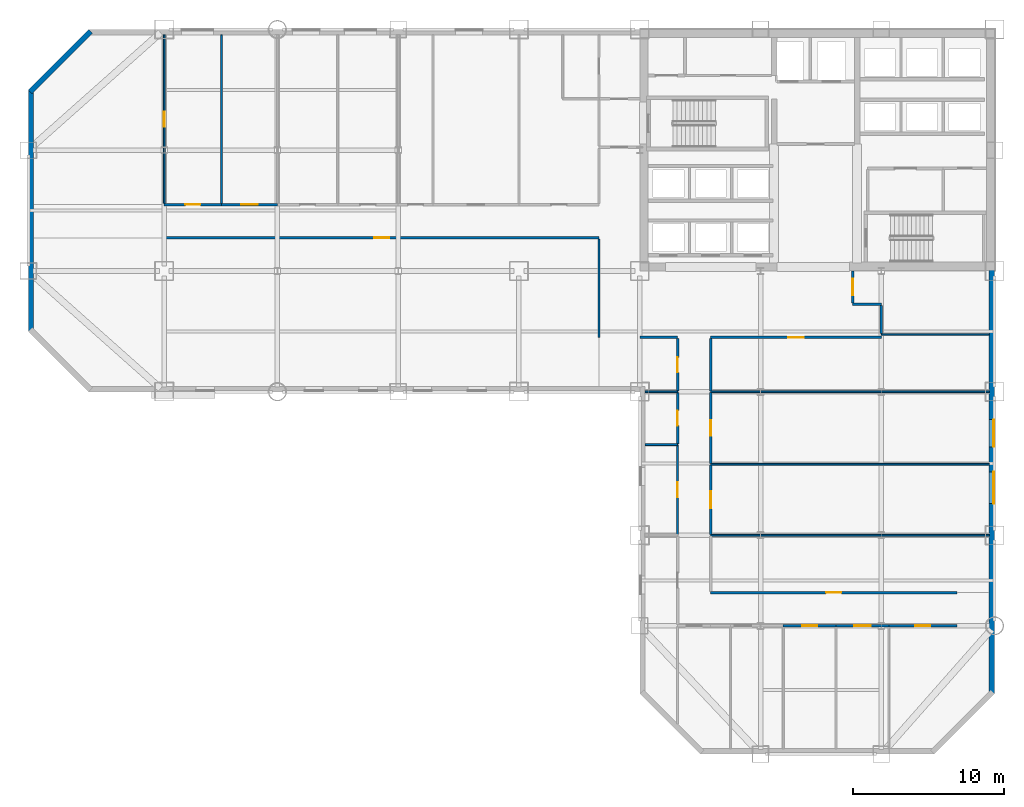
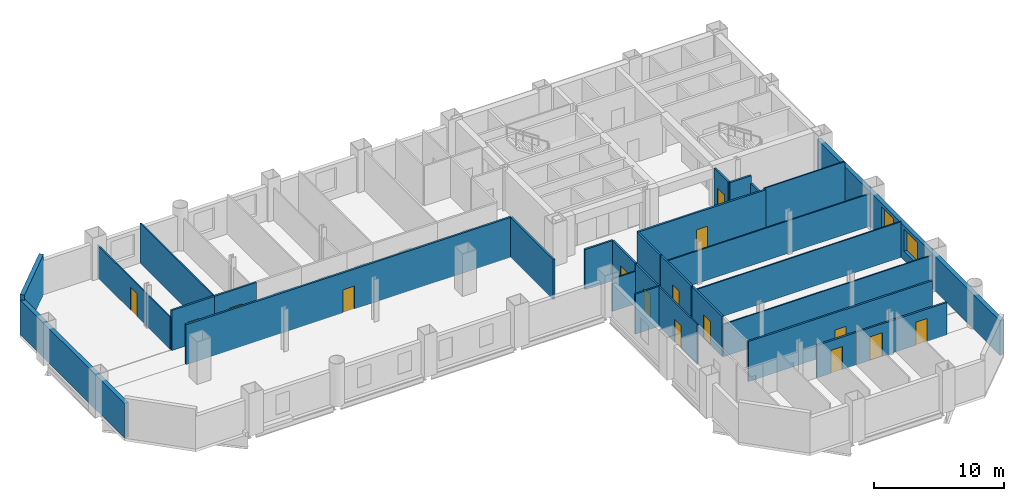
# One storey, part 5 of 9: 30 walls, 15 doors, 2 windows, 17 openings.
"""IFC4 building model written with IfcOpenShell, lengths in metres."""

from ifc_helpers import new_model, si_unit, direction, frame, frame_2d, origin, place, context, subcontext, project, spatial, rectangle, extrude, material, layer, layer_set, type_object, element, fill, save


model = new_model("IFC4")

# Units and contexts
model_context = context("Model", 3, precision=1e-05, world=origin(), true_north=direction((0.0, 1.0)))
body_context = subcontext(model_context, "Body", "Model", "MODEL_VIEW")
ifc_project = project(units=[si_unit("LENGTHUNIT", "METRE"), si_unit("AREAUNIT", "SQUARE_METRE"), si_unit("VOLUMEUNIT", "CUBIC_METRE"), si_unit("PLANEANGLEUNIT", "RADIAN"), si_unit("MASSUNIT", "GRAM", prefix="KILO")], contexts=[model_context])

# Site, building, storey
site_placement = place(None, origin())
site = spatial("IfcSite", under=ifc_project, at=site_placement, CompositionType="ELEMENT")
building_placement = place(site_placement, origin())
building = spatial("IfcBuilding", under=site, at=building_placement, Name="Qianrong Seaharbour Tower", CompositionType="ELEMENT")
storey_placement = place(building_placement, frame((0.0, 0.0, 32.199951171875)))
storey = spatial("IfcBuildingStorey", under=building, at=storey_placement, Name="L07", CompositionType="ELEMENT", Elevation=32.199951171875)

# Wall, opening, door
ifc_material_1 = material(Name="Fire-rated acoustic gypsum board partition")
ifc_layer_1 = layer(ifc_material_1, 0.1650390625)
ifc_layer_set_1 = layer_set([ifc_layer_1], Name="Fire-rated acoustic gypsum board partition")
wall_type_1 = type_object("IfcWallType", Name="WALL-CORR-PART-165", PredefinedType="PARTITIONING", material=ifc_layer_set_1)
wall_1_placement = place(storey_placement, frame((37.800048828125, 38.199951171875, 0.0), z_axis=(0.0, 0.0, 1.0), x_axis=(-1.0, 0.0, 0.0)))
wall_1 = element("IfcWall", 1, at=wall_1_placement, inside=storey, type_object=wall_type_1, Name="L07 Interior Partition Wall 015", PredefinedType="PARTITIONING", context=body_context, shape_type="SweptSolid", body=[
    extrude(rectangle(XDim=28.800048828125, YDim=0.1650390625, at=frame_2d((14.39990234375, 0.0))), origin(), (0.0, 0.0, 1.0), 3.75),
])
opening_1_placement = place(wall_1_placement, frame((13.89990234375, 0.0, 0.0)))
opening_1 = element("IfcOpeningElement", 2, at=opening_1_placement, cuts=wall_1, Name="Opening DO-01", PredefinedType="OPENING", context=body_context, shape_type="SweptSolid", body=[
    extrude(rectangle(XDim=1.0, YDim=2.14990234375, at=frame_2d((0.5, 1.074951171875))), frame((0.0, 0.092529296875, 0.0), z_axis=(0.0, -1.0, 0.0), x_axis=(1.0, 0.0, 0.0)), (0.0, 0.0, 1.0), 0.18505859375),
])
ifc_material_2 = material(Name="Acoustic timber and galvanized steel fire door assembly", Category="steel")
door_type_1 = type_object("IfcDoorType", Name="DOOR-OFFICE-1000x2150", OperationType="NOTDEFINED", PredefinedType="DOOR", material=ifc_material_2)
door_1_placement = place(opening_1_placement, origin())
door_1 = element("IfcDoor", 3, at=door_1_placement, inside=storey, type_object=door_type_1, Name="L07 Open-Plan Office Door", OperationType="SINGLE_SWING_LEFT", OverallHeight=2.14990234375, OverallWidth=1.0, PredefinedType="DOOR", context=body_context, shape_type="SweptSolid", body=[
    extrude(rectangle(XDim=1.0, YDim=2.14990234375, at=frame_2d((0.5, 1.074951171875))), frame((0.0, 0.02490234375, 0.0), z_axis=(0.0, -1.0, 0.0), x_axis=(1.0, 0.0, 0.0)), (0.0, 0.0, 1.0), 0.050048828125),
])
fill(opening_1, door_1)

wall_2_placement = place(storey_placement, frame((9.0, 40.39990234375, 0.0), z_axis=(0.0, 0.0, 1.0), x_axis=(1.0, 0.0, 0.0)))
wall_2 = element("IfcWall", 4, at=wall_2_placement, inside=storey, type_object=wall_type_1, Name="L07 Interior Partition Wall 016", PredefinedType="PARTITIONING", context=body_context, shape_type="SweptSolid", body=[
    extrude(rectangle(XDim=3.800048828125, YDim=0.1650390625, at=frame_2d((1.89990234375, 0.0))), origin(), (0.0, 0.0, 1.0), 3.75),
])
opening_2_placement = place(wall_2_placement, frame((1.39990234375, 0.0, 0.0)))
opening_2 = element("IfcOpeningElement", 5, at=opening_2_placement, cuts=wall_2, Name="Opening DO-01", PredefinedType="OPENING", context=body_context, shape_type="SweptSolid", body=[
    extrude(rectangle(XDim=1.0, YDim=2.14990234375, at=frame_2d((0.5, 1.074951171875))), frame((0.0, 0.092529296875, 0.0), z_axis=(0.0, -1.0, 0.0), x_axis=(1.0, 0.0, 0.0)), (0.0, 0.0, 1.0), 0.18505859375),
])
door_2_placement = place(opening_2_placement, origin())
door_2 = element("IfcDoor", 6, at=door_2_placement, inside=storey, type_object=door_type_1, Name="L07 Focus Room 2 Door", OperationType="SINGLE_SWING_LEFT", OverallHeight=2.14990234375, OverallWidth=1.0, PredefinedType="DOOR", context=body_context, shape_type="SweptSolid", body=[
    extrude(rectangle(XDim=1.0, YDim=2.14990234375, at=frame_2d((0.5, 1.074951171875))), frame((0.0, 0.02490234375, 0.0), z_axis=(0.0, -1.0, 0.0), x_axis=(1.0, 0.0, 0.0)), (0.0, 0.0, 1.0), 0.050048828125),
])
fill(opening_2, door_2)

wall_3_placement = place(storey_placement, frame((12.800048828125, 40.39990234375, 0.0), z_axis=(0.0, 0.0, 1.0), x_axis=(1.0, 0.0, 0.0)))
wall_3 = element("IfcWall", 7, at=wall_3_placement, inside=storey, type_object=wall_type_1, Name="L07 Interior Partition Wall 017", PredefinedType="PARTITIONING", context=body_context, shape_type="SweptSolid", body=[
    extrude(rectangle(XDim=3.699951171875, YDim=0.1650390625, at=frame_2d((1.85009765625, 0.0))), origin(), (0.0, 0.0, 1.0), 3.75),
])
opening_3_placement = place(wall_3_placement, frame((1.300048828125, 0.0, 0.0)))
opening_3 = element("IfcOpeningElement", 8, at=opening_3_placement, cuts=wall_3, Name="Opening DM-01", PredefinedType="OPENING", context=body_context, shape_type="SweptSolid", body=[
    extrude(rectangle(XDim=1.10009765625, YDim=2.199951171875, at=frame_2d((0.550048828125, 1.10009765625))), frame((0.0, 0.092529296875, 0.0), z_axis=(0.0, -1.0, 0.0), x_axis=(1.0, 0.0, 0.0)), (0.0, 0.0, 1.0), 0.18505859375),
])
door_type_2 = type_object("IfcDoorType", Name="DOOR-MEET-1100x2200", OperationType="NOTDEFINED", PredefinedType="DOOR", material=ifc_material_2)
door_3_placement = place(opening_3_placement, origin())
door_3 = element("IfcDoor", 9, at=door_3_placement, inside=storey, type_object=door_type_2, Name="L07 Meeting Room 3 Door", OperationType="SINGLE_SWING_RIGHT", OverallHeight=2.199951171875, OverallWidth=1.10009765625, PredefinedType="DOOR", context=body_context, shape_type="SweptSolid", body=[
    extrude(rectangle(XDim=1.10009765625, YDim=2.199951171875, at=frame_2d((0.550048828125, 1.10009765625))), frame((0.0, 0.02490234375, 0.0), z_axis=(0.0, -1.0, 0.0), x_axis=(1.0, 0.0, 0.0)), (0.0, 0.0, 1.0), 0.050048828125),
])
fill(opening_3, door_3)

# Wall
wall_4_placement = place(storey_placement, frame((37.800048828125, 31.60009765625, 0.0), z_axis=(0.0, 0.0, 1.0), x_axis=(0.0, 1.0, 0.0)))
element("IfcWall", 10, at=wall_4_placement, inside=storey, type_object=wall_type_1, Name="L07 Interior Partition Wall 023", PredefinedType="PARTITIONING", context=body_context, shape_type="SweptSolid", body=[
    extrude(rectangle(XDim=6.525390625, YDim=0.1650390625, at=frame_2d((3.2626953125, 0.0))), origin(), (0.0, 0.0, 1.0), 3.75),
])

# Wall, opening, door
wall_5_placement = place(storey_placement, frame((56.5, 31.60009765625, 0.0), z_axis=(0.0, 0.0, 1.0), x_axis=(-1.0, 0.0, 0.0)))
wall_5 = element("IfcWall", 11, at=wall_5_placement, inside=storey, type_object=wall_type_1, Name="L07 Interior Partition Wall 025", PredefinedType="PARTITIONING", context=body_context, shape_type="SweptSolid", body=[
    extrude(rectangle(XDim=11.300048828125, YDim=0.1650390625, at=frame_2d((5.64990234375, 0.0))), origin(), (0.0, 0.0, 1.0), 3.75),
])
opening_4_placement = place(wall_5_placement, frame((5.14990234375, 0.0, 0.0)))
opening_4 = element("IfcOpeningElement", 12, at=opening_4_placement, cuts=wall_5, Name="Opening DO-01", PredefinedType="OPENING", context=body_context, shape_type="SweptSolid", body=[
    extrude(rectangle(XDim=1.0, YDim=2.14990234375, at=frame_2d((0.5, 1.074951171875))), frame((0.0, 0.092529296875, 0.0), z_axis=(0.0, -1.0, 0.0), x_axis=(1.0, 0.0, 0.0)), (0.0, 0.0, 1.0), 0.18505859375),
])
door_4_placement = place(opening_4_placement, origin())
door_4 = element("IfcDoor", 13, at=door_4_placement, inside=storey, type_object=door_type_1, Name="L07 Executive Office 4 Door", OperationType="SINGLE_SWING_LEFT", OverallHeight=2.14990234375, OverallWidth=1.0, PredefinedType="DOOR", context=body_context, shape_type="SweptSolid", body=[
    extrude(rectangle(XDim=1.0, YDim=2.14990234375, at=frame_2d((0.5, 1.074951171875))), frame((0.0, 0.02490234375, 0.0), z_axis=(0.0, -1.0, 0.0), x_axis=(1.0, 0.0, 0.0)), (0.0, 0.0, 1.0), 0.050048828125),
])
fill(opening_4, door_4)

wall_6_placement = place(storey_placement, frame((54.60009765625, 36.0, 0.0), z_axis=(0.0, 0.0, 1.0), x_axis=(0.0, -1.0, 0.0)))
wall_6 = element("IfcWall", 14, at=wall_6_placement, inside=storey, type_object=wall_type_1, Name="L07 Interior Partition Wall 026", PredefinedType="PARTITIONING", context=body_context, shape_type="SweptSolid", body=[
    extrude(rectangle(XDim=2.12548828125, YDim=0.1650390625, at=frame_2d((1.062744140625, 0.0))), origin(), (0.0, 0.0, 1.0), 3.75),
])
opening_5_placement = place(wall_6_placement, frame((0.5126953125, 0.0, 0.0)))
opening_5 = element("IfcOpeningElement", 15, at=opening_5_placement, cuts=wall_6, Name="Opening DM-01", PredefinedType="OPENING", context=body_context, shape_type="SweptSolid", body=[
    extrude(rectangle(XDim=1.10009765625, YDim=2.199951171875, at=frame_2d((0.550048828125, 1.10009765625))), frame((0.0, 0.092529296875, 0.0), z_axis=(0.0, -1.0, 0.0), x_axis=(1.0, 0.0, 0.0)), (0.0, 0.0, 1.0), 0.18505859375),
])
door_5_placement = place(opening_5_placement, origin())
door_5 = element("IfcDoor", 16, at=door_5_placement, inside=storey, type_object=door_type_2, Name="L07 Boardroom 5 Door", OperationType="SINGLE_SWING_RIGHT", OverallHeight=2.199951171875, OverallWidth=1.10009765625, PredefinedType="DOOR", context=body_context, shape_type="SweptSolid", body=[
    extrude(rectangle(XDim=1.10009765625, YDim=2.199951171875, at=frame_2d((0.550048828125, 1.10009765625))), frame((0.0, 0.02490234375, 0.0), z_axis=(0.0, -1.0, 0.0), x_axis=(1.0, 0.0, 0.0)), (0.0, 0.0, 1.0), 0.050048828125),
])
fill(opening_5, door_5)

# Walls
wall_7_placement = place(storey_placement, frame((54.60009765625, 33.800048828125, 0.0), z_axis=(0.0, 0.0, 1.0), x_axis=(1.0, 0.0, 0.0)))
element("IfcWall", 17, at=wall_7_placement, inside=storey, type_object=wall_type_1, Name="L07 Interior Partition Wall 027", PredefinedType="PARTITIONING", context=body_context, shape_type="SweptSolid", body=[
    extrude(rectangle(XDim=1.89990234375, YDim=0.1650390625, at=frame_2d((0.949951171875, 0.0))), origin(), (0.0, 0.0, 1.0), 3.75),
])
wall_8_placement = place(storey_placement, frame((56.5, 33.7255859375, 0.0), z_axis=(0.0, 0.0, 1.0), x_axis=(0.0, -1.0, 0.0)))
element("IfcWall", 18, at=wall_8_placement, inside=storey, type_object=wall_type_1, Name="L07 Interior Partition Wall 028", PredefinedType="PARTITIONING", context=body_context, shape_type="SweptSolid", body=[
    extrude(rectangle(XDim=1.878662109375, YDim=0.1650390625, at=frame_2d((0.939453125, 0.0))), origin(), (0.0, 0.0, 1.0), 3.0419921875),
])
wall_9_placement = place(storey_placement, frame((43.0, 31.60009765625, 0.0), z_axis=(0.0, 0.0, 1.0), x_axis=(-1.0, 0.0, 0.0)))
element("IfcWall", 19, at=wall_9_placement, inside=storey, type_object=wall_type_1, Name="L07 Interior Partition Wall 029", PredefinedType="PARTITIONING", context=body_context, shape_type="SweptSolid", body=[
    extrude(rectangle(XDim=2.5, YDim=0.1650390625, at=frame_2d((1.25, 0.0))), origin(), (0.0, 0.0, 1.0), 3.75),
])

# Wall, opening, door
wall_10_placement = place(storey_placement, frame((45.199951171875, 23.153076171875, 0.0), z_axis=(0.0, 0.0, 1.0), x_axis=(0.0, -1.0, 0.0)))
wall_10 = element("IfcWall", 20, at=wall_10_placement, inside=storey, type_object=wall_type_1, Name="L07 Interior Partition Wall 031", PredefinedType="PARTITIONING", context=body_context, shape_type="SweptSolid", body=[
    extrude(rectangle(XDim=4.60595703125, YDim=0.1650390625, at=frame_2d((2.302978515625, 0.0))), origin(), (0.0, 0.0, 1.0), 3.75),
])
opening_6_placement = place(wall_10_placement, frame((1.7529296875, 0.0, 0.0)))
opening_6 = element("IfcOpeningElement", 21, at=opening_6_placement, cuts=wall_10, Name="Opening DM-01", PredefinedType="OPENING", context=body_context, shape_type="SweptSolid", body=[
    extrude(rectangle(XDim=1.10009765625, YDim=2.199951171875, at=frame_2d((0.550048828125, 1.10009765625))), frame((0.0, 0.092529296875, 0.0), z_axis=(0.0, -1.0, 0.0), x_axis=(1.0, 0.0, 0.0)), (0.0, 0.0, 1.0), 0.18505859375),
])
door_6_placement = place(opening_6_placement, origin())
door_6 = element("IfcDoor", 22, at=door_6_placement, inside=storey, type_object=door_type_2, Name="L07 Boardroom 2 Door", OperationType="SINGLE_SWING_LEFT", OverallHeight=2.199951171875, OverallWidth=1.10009765625, PredefinedType="DOOR", context=body_context, shape_type="SweptSolid", body=[
    extrude(rectangle(XDim=1.10009765625, YDim=2.199951171875, at=frame_2d((0.550048828125, 1.10009765625))), frame((0.0, 0.02490234375, 0.0), z_axis=(0.0, -1.0, 0.0), x_axis=(1.0, 0.0, 0.0)), (0.0, 0.0, 1.0), 0.050048828125),
])
fill(opening_6, door_6)

wall_11_placement = place(storey_placement, frame((45.199951171875, 27.952880859375, 0.0), z_axis=(0.0, 0.0, 1.0), x_axis=(0.0, -1.0, 0.0)))
wall_11 = element("IfcWall", 23, at=wall_11_placement, inside=storey, type_object=wall_type_1, Name="L07 Interior Partition Wall 032", PredefinedType="PARTITIONING", context=body_context, shape_type="SweptSolid", body=[
    extrude(rectangle(XDim=4.705810546875, YDim=0.1650390625, at=frame_2d((2.35302734375, 0.0))), origin(), (0.0, 0.0, 1.0), 3.75),
])
opening_7_placement = place(wall_11_placement, frame((1.85302734375, 0.0, 0.0)))
opening_7 = element("IfcOpeningElement", 24, at=opening_7_placement, cuts=wall_11, Name="Opening DO-01", PredefinedType="OPENING", context=body_context, shape_type="SweptSolid", body=[
    extrude(rectangle(XDim=1.0, YDim=2.14990234375, at=frame_2d((0.5, 1.074951171875))), frame((0.0, 0.092529296875, 0.0), z_axis=(0.0, -1.0, 0.0), x_axis=(1.0, 0.0, 0.0)), (0.0, 0.0, 1.0), 0.18505859375),
])
door_7_placement = place(opening_7_placement, origin())
door_7 = element("IfcDoor", 25, at=door_7_placement, inside=storey, type_object=door_type_1, Name="L07 Focus Room 3 Door", OperationType="SINGLE_SWING_RIGHT", OverallHeight=2.14990234375, OverallWidth=1.0, PredefinedType="DOOR", context=body_context, shape_type="SweptSolid", body=[
    extrude(rectangle(XDim=1.0, YDim=2.14990234375, at=frame_2d((0.5, 1.074951171875))), frame((0.0, 0.02490234375, 0.0), z_axis=(0.0, -1.0, 0.0), x_axis=(1.0, 0.0, 0.0)), (0.0, 0.0, 1.0), 0.050048828125),
])
fill(opening_7, door_7)

# Wall
wall_12_placement = place(storey_placement, frame((45.199951171875, 31.525390625, 0.0), z_axis=(0.0, 0.0, 1.0), x_axis=(0.0, -1.0, 0.0)))
element("IfcWall", 26, at=wall_12_placement, inside=storey, type_object=wall_type_1, Name="L07 Interior Partition Wall 033", PredefinedType="PARTITIONING", context=body_context, shape_type="SweptSolid", body=[
    extrude(rectangle(XDim=3.478271484375, YDim=0.1650390625, at=frame_2d((1.7392578125, 0.0))), origin(), (0.0, 0.0, 1.0), 3.75),
])

# Wall, opening, door
wall_13_placement = place(storey_placement, frame((43.0, 24.556884765625, 0.0), z_axis=(0.0, 0.0, 1.0), x_axis=(0.0, 1.0, 0.0)))
wall_13 = element("IfcWall", 27, at=wall_13_placement, inside=storey, type_object=wall_type_1, Name="L07 Interior Partition Wall 036", PredefinedType="PARTITIONING", context=body_context, shape_type="SweptSolid", body=[
    extrude(rectangle(XDim=3.39599609375, YDim=0.1650390625, at=frame_2d((1.697998046875, 0.0))), origin(), (0.0, 0.0, 1.0), 3.75),
])
opening_8_placement = place(wall_13_placement, frame((1.197998046875, 0.0, 0.0)))
opening_8 = element("IfcOpeningElement", 28, at=opening_8_placement, cuts=wall_13, Name="Opening DO-01", PredefinedType="OPENING", context=body_context, shape_type="SweptSolid", body=[
    extrude(rectangle(XDim=1.0, YDim=2.14990234375, at=frame_2d((0.5, 1.074951171875))), frame((0.0, 0.092529296875, 0.0), z_axis=(0.0, -1.0, 0.0), x_axis=(1.0, 0.0, 0.0)), (0.0, 0.0, 1.0), 0.18505859375),
])
door_8_placement = place(opening_8_placement, origin())
door_8 = element("IfcDoor", 29, at=door_8_placement, inside=storey, type_object=door_type_1, Name="L07 Focus Room 3 Door", OperationType="SINGLE_SWING_LEFT", OverallHeight=2.14990234375, OverallWidth=1.0, PredefinedType="DOOR", context=body_context, shape_type="SweptSolid", body=[
    extrude(rectangle(XDim=1.0, YDim=2.14990234375, at=frame_2d((0.5, 1.074951171875))), frame((0.0, 0.02490234375, 0.0), z_axis=(0.0, -1.0, 0.0), x_axis=(1.0, 0.0, 0.0)), (0.0, 0.0, 1.0), 0.050048828125),
])
fill(opening_8, door_8)

wall_14_placement = place(storey_placement, frame((43.0, 28.047119140625, 0.0), z_axis=(0.0, 0.0, 1.0), x_axis=(0.0, 1.0, 0.0)))
wall_14 = element("IfcWall", 30, at=wall_14_placement, inside=storey, type_object=wall_type_1, Name="L07 Interior Partition Wall 037", PredefinedType="PARTITIONING", context=body_context, shape_type="SweptSolid", body=[
    extrude(rectangle(XDim=3.478271484375, YDim=0.1650390625, at=frame_2d((1.7392578125, 0.0))), origin(), (0.0, 0.0, 1.0), 3.75),
])
opening_9_placement = place(wall_14_placement, frame((1.2392578125, 0.0, 0.0)))
opening_9 = element("IfcOpeningElement", 31, at=opening_9_placement, cuts=wall_14, Name="Opening DO-01", PredefinedType="OPENING", context=body_context, shape_type="SweptSolid", body=[
    extrude(rectangle(XDim=1.0, YDim=2.14990234375, at=frame_2d((0.5, 1.074951171875))), frame((0.0, 0.092529296875, 0.0), z_axis=(0.0, -1.0, 0.0), x_axis=(1.0, 0.0, 0.0)), (0.0, 0.0, 1.0), 0.18505859375),
])
door_9_placement = place(opening_9_placement, origin())
door_9 = element("IfcDoor", 32, at=door_9_placement, inside=storey, type_object=door_type_1, Name="L07 Executive Office 4 Door", OperationType="SINGLE_SWING_RIGHT", OverallHeight=2.14990234375, OverallWidth=1.0, PredefinedType="DOOR", context=body_context, shape_type="SweptSolid", body=[
    extrude(rectangle(XDim=1.0, YDim=2.14990234375, at=frame_2d((0.5, 1.074951171875))), frame((0.0, 0.02490234375, 0.0), z_axis=(0.0, -1.0, 0.0), x_axis=(1.0, 0.0, 0.0)), (0.0, 0.0, 1.0), 0.050048828125),
])
fill(opening_9, door_9)

wall_15_placement = place(storey_placement, frame((45.199951171875, 14.699951171875, 0.0), z_axis=(0.0, 0.0, 1.0), x_axis=(1.0, 0.0, 0.0)))
wall_15 = element("IfcWall", 33, at=wall_15_placement, inside=storey, type_object=wall_type_1, Name="L07 Interior Partition Wall 039", PredefinedType="PARTITIONING", context=body_context, shape_type="SweptSolid", body=[
    extrude(rectangle(XDim=16.300048828125, YDim=0.1650390625, at=frame_2d((8.14990234375, 0.0))), origin(), (0.0, 0.0, 1.0), 3.75),
])
opening_10_placement = place(wall_15_placement, frame((7.64990234375, 0.0, 0.0)))
opening_10 = element("IfcOpeningElement", 34, at=opening_10_placement, cuts=wall_15, Name="Opening DO-01", PredefinedType="OPENING", context=body_context, shape_type="SweptSolid", body=[
    extrude(rectangle(XDim=1.0, YDim=2.14990234375, at=frame_2d((0.5, 1.074951171875))), frame((0.0, 0.092529296875, 0.0), z_axis=(0.0, -1.0, 0.0), x_axis=(1.0, 0.0, 0.0)), (0.0, 0.0, 1.0), 0.18505859375),
])
door_10_placement = place(opening_10_placement, origin())
door_10 = element("IfcDoor", 35, at=door_10_placement, inside=storey, type_object=door_type_1, Name="L07 Executive Office 1 Door", OperationType="SINGLE_SWING_RIGHT", OverallHeight=2.14990234375, OverallWidth=1.0, PredefinedType="DOOR", context=body_context, shape_type="SweptSolid", body=[
    extrude(rectangle(XDim=1.0, YDim=2.14990234375, at=frame_2d((0.5, 1.074951171875))), frame((0.0, 0.02490234375, 0.0), z_axis=(0.0, -1.0, 0.0), x_axis=(1.0, 0.0, 0.0)), (0.0, 0.0, 1.0), 0.050048828125),
])
fill(opening_10, door_10)

wall_16_placement = place(storey_placement, frame((53.5, 12.5, 0.0), z_axis=(0.0, 0.0, 1.0), x_axis=(-1.0, 0.0, 0.0)))
wall_16 = element("IfcWall", 36, at=wall_16_placement, inside=storey, type_object=wall_type_1, Name="L07 Interior Partition Wall 042", PredefinedType="PARTITIONING", context=body_context, shape_type="SweptSolid", body=[
    extrude(rectangle(XDim=3.5, YDim=0.1650390625, at=frame_2d((1.75, 0.0))), origin(), (0.0, 0.0, 1.0), 3.0419921875),
])
opening_11_placement = place(wall_16_placement, frame((1.25, 0.0, 0.0)))
opening_11 = element("IfcOpeningElement", 37, at=opening_11_placement, cuts=wall_16, Name="Opening DO-01", PredefinedType="OPENING", context=body_context, shape_type="SweptSolid", body=[
    extrude(rectangle(XDim=1.0, YDim=2.14990234375, at=frame_2d((0.5, 1.074951171875))), frame((0.0, 0.092529296875, 0.0), z_axis=(0.0, -1.0, 0.0), x_axis=(1.0, 0.0, 0.0)), (0.0, 0.0, 1.0), 0.18505859375),
])
door_11_placement = place(opening_11_placement, origin())
door_11 = element("IfcDoor", 38, at=door_11_placement, inside=storey, type_object=door_type_1, Name="L07 Executive Office 3 Door", OperationType="SINGLE_SWING_LEFT", OverallHeight=2.14990234375, OverallWidth=1.0, PredefinedType="DOOR", context=body_context, shape_type="SweptSolid", body=[
    extrude(rectangle(XDim=1.0, YDim=2.14990234375, at=frame_2d((0.5, 1.074951171875))), frame((0.0, 0.02490234375, 0.0), z_axis=(0.0, -1.0, 0.0), x_axis=(1.0, 0.0, 0.0)), (0.0, 0.0, 1.0), 0.050048828125),
])
fill(opening_11, door_11)

wall_17_placement = place(storey_placement, frame((57.0, 12.5, 0.0), z_axis=(0.0, 0.0, 1.0), x_axis=(-1.0, 0.0, 0.0)))
wall_17 = element("IfcWall", 39, at=wall_17_placement, inside=storey, type_object=wall_type_1, Name="L07 Interior Partition Wall 043", PredefinedType="PARTITIONING", context=body_context, shape_type="SweptSolid", body=[
    extrude(rectangle(XDim=3.5, YDim=0.1650390625, at=frame_2d((1.75, 0.0))), origin(), (0.0, 0.0, 1.0), 3.0419921875),
])
opening_12_placement = place(wall_17_placement, frame((1.199951171875, 0.0, 0.0)))
opening_12 = element("IfcOpeningElement", 40, at=opening_12_placement, cuts=wall_17, Name="Opening DM-01", PredefinedType="OPENING", context=body_context, shape_type="SweptSolid", body=[
    extrude(rectangle(XDim=1.10009765625, YDim=2.199951171875, at=frame_2d((0.550048828125, 1.10009765625))), frame((0.0, 0.092529296875, 0.0), z_axis=(0.0, -1.0, 0.0), x_axis=(1.0, 0.0, 0.0)), (0.0, 0.0, 1.0), 0.18505859375),
])
door_12_placement = place(opening_12_placement, origin())
door_12 = element("IfcDoor", 41, at=door_12_placement, inside=storey, type_object=door_type_2, Name="L07 Meeting Room 4 Door", OperationType="SINGLE_SWING_RIGHT", OverallHeight=2.199951171875, OverallWidth=1.10009765625, PredefinedType="DOOR", context=body_context, shape_type="SweptSolid", body=[
    extrude(rectangle(XDim=1.10009765625, YDim=2.199951171875, at=frame_2d((0.550048828125, 1.10009765625))), frame((0.0, 0.02490234375, 0.0), z_axis=(0.0, -1.0, 0.0), x_axis=(1.0, 0.0, 0.0)), (0.0, 0.0, 1.0), 0.050048828125),
])
fill(opening_12, door_12)

wall_18_placement = place(storey_placement, frame((61.5, 12.5, 0.0), z_axis=(0.0, 0.0, 1.0), x_axis=(-1.0, 0.0, 0.0)))
wall_18 = element("IfcWall", 42, at=wall_18_placement, inside=storey, type_object=wall_type_1, Name="L07 Interior Partition Wall 044", PredefinedType="PARTITIONING", context=body_context, shape_type="SweptSolid", body=[
    extrude(rectangle(XDim=4.5, YDim=0.1650390625, at=frame_2d((2.25, 0.0))), origin(), (0.0, 0.0, 1.0), 3.0419921875),
])
opening_13_placement = place(wall_18_placement, frame((1.75, 0.0, 0.0)))
opening_13 = element("IfcOpeningElement", 43, at=opening_13_placement, cuts=wall_18, Name="Opening DO-01", PredefinedType="OPENING", context=body_context, shape_type="SweptSolid", body=[
    extrude(rectangle(XDim=1.0, YDim=2.14990234375, at=frame_2d((0.5, 1.074951171875))), frame((0.0, 0.092529296875, 0.0), z_axis=(0.0, -1.0, 0.0), x_axis=(1.0, 0.0, 0.0)), (0.0, 0.0, 1.0), 0.18505859375),
])
door_13_placement = place(opening_13_placement, origin())
door_13 = element("IfcDoor", 44, at=door_13_placement, inside=storey, type_object=door_type_1, Name="L07 Executive Office 5 Door", OperationType="SINGLE_SWING_LEFT", OverallHeight=2.14990234375, OverallWidth=1.0, PredefinedType="DOOR", context=body_context, shape_type="SweptSolid", body=[
    extrude(rectangle(XDim=1.0, YDim=2.14990234375, at=frame_2d((0.5, 1.074951171875))), frame((0.0, 0.02490234375, 0.0), z_axis=(0.0, -1.0, 0.0), x_axis=(1.0, 0.0, 0.0)), (0.0, 0.0, 1.0), 0.050048828125),
])
fill(opening_13, door_13)

ifc_material_3 = material(Name="Demountable aluminium-framed acoustic office partition", Category="aluminium")
ifc_layer_2 = layer(ifc_material_3, 0.110107421875)
ifc_layer_set_2 = layer_set([ifc_layer_2], Name="Demountable aluminium-framed acoustic office partition")
wall_type_2 = type_object("IfcWallType", Name="WALL-DEMOUNT-110", PredefinedType="MOVABLE", material=ifc_layer_set_2)
wall_19_placement = place(storey_placement, frame((9.0, 51.64794921875, 0.0), z_axis=(0.0, 0.0, 1.0), x_axis=(0.0, -1.0, 0.0)))
wall_19 = element("IfcWall", 45, at=wall_19_placement, inside=storey, type_object=wall_type_2, Name="L07 Interior Partition Wall 045", PredefinedType="MOVABLE", context=body_context, shape_type="SweptSolid", body=[
    extrude(rectangle(XDim=11.17333984375, YDim=0.110107421875, at=frame_2d((5.586669921875, 0.0))), origin(), (0.0, 0.0, 1.0), 3.0419921875),
])
opening_14_placement = place(wall_19_placement, frame((5.0869140625, 0.0, 0.0)))
opening_14 = element("IfcOpeningElement", 46, at=opening_14_placement, cuts=wall_19, Name="Opening DO-01", PredefinedType="OPENING", context=body_context, shape_type="SweptSolid", body=[
    extrude(rectangle(XDim=1.0, YDim=2.14990234375, at=frame_2d((0.5, 1.074951171875))), frame((0.0, 0.06494140625, 0.0), z_axis=(0.0, -1.0, 0.0), x_axis=(1.0, 0.0, 0.0)), (0.0, 0.0, 1.0), 0.130126953125),
])
door_14_placement = place(opening_14_placement, origin())
door_14 = element("IfcDoor", 47, at=door_14_placement, inside=storey, type_object=door_type_1, Name="L07 Executive Office 1 Door", OperationType="SINGLE_SWING_RIGHT", OverallHeight=2.14990234375, OverallWidth=1.0, PredefinedType="DOOR", context=body_context, shape_type="SweptSolid", body=[
    extrude(rectangle(XDim=1.0, YDim=2.14990234375, at=frame_2d((0.5, 1.074951171875))), frame((0.0, 0.02490234375, 0.0), z_axis=(0.0, -1.0, 0.0), x_axis=(1.0, 0.0, 0.0)), (0.0, 0.0, 1.0), 0.050048828125),
])
fill(opening_14, door_14)

# Walls
wall_20_placement = place(storey_placement, frame((12.800048828125, 51.64794921875, 0.0), z_axis=(0.0, 0.0, 1.0), x_axis=(0.0, -1.0, 0.0)))
element("IfcWall", 48, at=wall_20_placement, inside=storey, type_object=wall_type_2, Name="L07 Interior Partition Wall 046", PredefinedType="MOVABLE", context=body_context, shape_type="SweptSolid", body=[
    extrude(rectangle(XDim=11.17333984375, YDim=0.110107421875, at=frame_2d((5.586669921875, 0.0))), origin(), (0.0, 0.0, 1.0), 3.75),
])
wall_21_placement = place(storey_placement, frame((45.199951171875, 18.5, 0.0), z_axis=(0.0, 0.0, 1.0), x_axis=(1.0, 0.0, 0.0)))
element("IfcWall", 49, at=wall_21_placement, inside=storey, type_object=wall_type_2, Name="L07 Interior Partition Wall 052", PredefinedType="MOVABLE", context=body_context, shape_type="SweptSolid", body=[
    extrude(rectangle(XDim=18.447998046875, YDim=0.110107421875, at=frame_2d((9.22412109375, 0.0))), origin(), (0.0, 0.0, 1.0), 3.0419921875),
])
wall_22_placement = place(storey_placement, frame((45.199951171875, 23.199951171875, 0.0), z_axis=(0.0, 0.0, 1.0), x_axis=(1.0, 0.0, 0.0)))
element("IfcWall", 50, at=wall_22_placement, inside=storey, type_object=wall_type_2, Name="L07 Interior Partition Wall 053", PredefinedType="MOVABLE", context=body_context, shape_type="SweptSolid", body=[
    extrude(rectangle(XDim=18.447998046875, YDim=0.110107421875, at=frame_2d((9.22412109375, 0.0))), origin(), (0.0, 0.0, 1.0), 3.342041015625),
])
wall_23_placement = place(storey_placement, frame((45.199951171875, 28.0, 0.0), z_axis=(0.0, 0.0, 1.0), x_axis=(1.0, 0.0, 0.0)))
element("IfcWall", 51, at=wall_23_placement, inside=storey, type_object=wall_type_2, Name="L07 Interior Partition Wall 054", PredefinedType="MOVABLE", context=body_context, shape_type="SweptSolid", body=[
    extrude(rectangle(XDim=18.447998046875, YDim=0.110107421875, at=frame_2d((9.22412109375, 0.0))), origin(), (0.0, 0.0, 1.0), 3.0419921875),
])
wall_24_placement = place(storey_placement, frame((56.5, 31.800048828125, 0.0), z_axis=(0.0, 0.0, 1.0), x_axis=(1.0, 0.0, 0.0)))
element("IfcWall", 52, at=wall_24_placement, inside=storey, type_object=wall_type_2, Name="L07 Interior Partition Wall 055", PredefinedType="MOVABLE", context=body_context, shape_type="SweptSolid", body=[
    extrude(rectangle(XDim=7.14794921875, YDim=0.110107421875, at=frame_2d((3.573974609375, 0.0))), origin(), (0.0, 0.0, 1.0), 3.75),
])
wall_25_placement = place(storey_placement, frame((40.85205078125, 28.0, 0.0), z_axis=(0.0, 0.0, 1.0), x_axis=(1.0, 0.0, 0.0)))
element("IfcWall", 53, at=wall_25_placement, inside=storey, type_object=wall_type_2, Name="L07 Interior Partition Wall 059", PredefinedType="MOVABLE", context=body_context, shape_type="SweptSolid", body=[
    extrude(rectangle(XDim=2.14794921875, YDim=0.110107421875, at=frame_2d((1.073974609375, 0.0))), origin(), (0.0, 0.0, 1.0), 3.0419921875),
])
ifc_material_4 = material(Name="Unitised red brick on Precast concrete C45/55", Category="masonry")
ifc_layer_3 = layer(ifc_material_4, 0.360107421875)
ifc_layer_set_3 = layer_set([ifc_layer_3], Name="Unitised red brick on Precast concrete C45/55")
wall_type_3 = type_object("IfcWallType", Name="WALL-EXT-BRICK-RED-360", PredefinedType="SOLIDWALL", material=ifc_layer_set_3)
wall_26_placement = place(storey_placement, frame((0.179931640625, 32.0, 0.0), z_axis=(0.0, 0.0, 1.0), x_axis=(0.0, 1.0, 0.0)))
element("IfcWall", 54, at=wall_26_placement, inside=storey, type_object=wall_type_3, Name="L07 Exterior Masonry Facade Wall WEST_TIP", PredefinedType="SOLIDWALL", context=body_context, shape_type="SweptSolid", body=[
    extrude(rectangle(XDim=16.0, YDim=0.360107421875, at=frame_2d((8.0, 0.0))), origin(), (0.0, 0.0, 1.0), 3.25),
])
wall_27_placement = place(storey_placement, frame((0.127197265625, 47.872802734375, 0.0), z_axis=(0.0, 0.0, 1.0), x_axis=(0.707106781187, 0.707106781187, 0.0)))
element("IfcWall", 55, at=wall_27_placement, inside=storey, type_object=wall_type_3, Name="L07 Exterior Masonry Facade Wall E04", PredefinedType="SOLIDWALL", context=body_context, shape_type="SweptSolid", body=[
    extrude(rectangle(XDim=5.65673828125, YDim=0.360107421875, at=frame_2d((2.828369140625, 0.0))), origin(), (0.0, 0.0, 1.0), 3.75),
])

# Wall, openings, windows
wall_28_placement = place(storey_placement, frame((63.820068359375, 36.050048828125, 0.0), z_axis=(0.0, 0.0, 1.0), x_axis=(0.0, -1.0, 0.0)))
wall_28 = element("IfcWall", 56, at=wall_28_placement, inside=storey, type_object=wall_type_3, Name="L07 Exterior Masonry Facade Wall EAST_WING", PredefinedType="SOLIDWALL", context=body_context, shape_type="SweptSolid", body=[
    extrude(rectangle(XDim=28.050048828125, YDim=0.360107421875, at=frame_2d((14.02490234375, 0.0))), origin(), (0.0, 0.0, 1.0), 3.25),
])
opening_15_placement = place(wall_28_placement, frame((9.89990234375, 0.0, 0.85009765625)))
opening_15 = element("IfcOpeningElement", 57, at=opening_15_placement, cuts=wall_28, Name="Opening WN-05", PredefinedType="OPENING", context=body_context, shape_type="SweptSolid", body=[
    extrude(rectangle(XDim=1.800048828125, YDim=2.050048828125, at=frame_2d((0.89990234375, 1.02490234375))), frame((0.0, 0.18994140625, 0.0), z_axis=(0.0, -1.0, 0.0), x_axis=(1.0, 0.0, 0.0)), (0.0, 0.0, 1.0), 0.380126953125),
])
opening_16_placement = place(wall_28_placement, frame((13.35009765625, 0.0, 0.85009765625)))
opening_16 = element("IfcOpeningElement", 58, at=opening_16_placement, cuts=wall_28, Name="Opening WN-06", PredefinedType="OPENING", context=body_context, shape_type="SweptSolid", body=[
    extrude(rectangle(XDim=2.10009765625, YDim=2.050048828125, at=frame_2d((1.050048828125, 1.02490234375))), frame((0.0, 0.18994140625, 0.0), z_axis=(0.0, -1.0, 0.0), x_axis=(1.0, 0.0, 0.0)), (0.0, 0.0, 1.0), 0.380126953125),
])
ifc_material_5 = material(Name="Insulated low-e double glazing in thermally broken aluminium 6063-T6 frame", Category="aluminium")
window_type_1 = type_object("IfcWindowType", Name="WIN-PUNCH-1800x2050", PartitioningType="TRIPLE_PANEL_VERTICAL", PredefinedType="WINDOW", material=ifc_material_5)
window_1_placement = place(opening_15_placement, origin())
window_1 = element("IfcWindow", 59, at=window_1_placement, inside=storey, type_object=window_type_1, Name="L07 Deep-Set Punched Window 06.03", OverallHeight=2.050048828125, OverallWidth=1.800048828125, PartitioningType="TRIPLE_PANEL_VERTICAL", PredefinedType="WINDOW", context=body_context, shape_type="SweptSolid", body=[
    extrude(rectangle(XDim=1.800048828125, YDim=2.050048828125, at=frame_2d((0.89990234375, 1.02490234375))), frame((0.0, 0.150146484375, 0.0), z_axis=(0.0, -1.0, 0.0), x_axis=(1.0, 0.0, 0.0)), (0.0, 0.0, 1.0), 0.06005859375),
])
fill(opening_15, window_1)
window_type_2 = type_object("IfcWindowType", Name="WIN-PUNCH-2100x2050", PartitioningType="TRIPLE_PANEL_VERTICAL", PredefinedType="WINDOW", material=ifc_material_5)
window_2_placement = place(opening_16_placement, origin())
window_2 = element("IfcWindow", 60, at=window_2_placement, inside=storey, type_object=window_type_2, Name="L07 Deep-Set Punched Window 06.04", OverallHeight=2.050048828125, OverallWidth=2.10009765625, PartitioningType="TRIPLE_PANEL_VERTICAL", PredefinedType="WINDOW", context=body_context, shape_type="SweptSolid", body=[
    extrude(rectangle(XDim=2.10009765625, YDim=2.050048828125, at=frame_2d((1.050048828125, 1.02490234375))), frame((0.0, 0.150146484375, 0.0), z_axis=(0.0, -1.0, 0.0), x_axis=(1.0, 0.0, 0.0)), (0.0, 0.0, 1.0), 0.06005859375),
])
fill(opening_16, window_2)

# Wall, opening, door
ifc_material_6 = material(Name="Water-resistant cement board sanitary partition")
ifc_layer_4 = layer(ifc_material_6, 0.1298828125)
ifc_layer_set_4 = layer_set([ifc_layer_4], Name="Water-resistant cement board sanitary partition")
wall_type_4 = type_object("IfcWallType", Name="WALL-WET-PART-130", PredefinedType="PARTITIONING", material=ifc_layer_set_4)
wall_29_placement = place(storey_placement, frame((43.0, 18.556884765625, 0.0), z_axis=(0.0, 0.0, 1.0), x_axis=(0.0, 1.0, 0.0)))
wall_29 = element("IfcWall", 61, at=wall_29_placement, inside=storey, type_object=wall_type_4, Name="L07 Interior Partition Wall 035", PredefinedType="PARTITIONING", context=body_context, shape_type="SweptSolid", body=[
    extrude(rectangle(XDim=5.88623046875, YDim=0.1298828125, at=frame_2d((2.943115234375, 0.0))), origin(), (0.0, 0.0, 1.0), 3.75),
])
opening_17_placement = place(wall_29_placement, frame((2.443115234375, 0.0, 0.0)))
opening_17 = element("IfcOpeningElement", 62, at=opening_17_placement, cuts=wall_29, Name="Opening DO-01", PredefinedType="OPENING", context=body_context, shape_type="SweptSolid", body=[
    extrude(rectangle(XDim=1.0, YDim=2.14990234375, at=frame_2d((0.5, 1.074951171875))), frame((0.0, 0.074951171875, 0.0), z_axis=(0.0, -1.0, 0.0), x_axis=(1.0, 0.0, 0.0)), (0.0, 0.0, 1.0), 0.14990234375),
])
door_15_placement = place(opening_17_placement, origin())
door_15 = element("IfcDoor", 63, at=door_15_placement, inside=storey, type_object=door_type_1, Name="L07 Wet Pantry 2 Door", OperationType="SINGLE_SWING_RIGHT", OverallHeight=2.14990234375, OverallWidth=1.0, PredefinedType="DOOR", context=body_context, shape_type="SweptSolid", body=[
    extrude(rectangle(XDim=1.0, YDim=2.14990234375, at=frame_2d((0.5, 1.074951171875))), frame((0.0, 0.02490234375, 0.0), z_axis=(0.0, -1.0, 0.0), x_axis=(1.0, 0.0, 0.0)), (0.0, 0.0, 1.0), 0.050048828125),
])
fill(opening_17, door_15)

# Wall
wall_30_placement = place(storey_placement, frame((40.85205078125, 24.5, 0.0), z_axis=(0.0, 0.0, 1.0), x_axis=(1.0, 0.0, 0.0)))
element("IfcWall", 64, at=wall_30_placement, inside=storey, type_object=wall_type_4, Name="L07 Interior Partition Wall 058", PredefinedType="PARTITIONING", context=body_context, shape_type="SweptSolid", body=[
    extrude(rectangle(XDim=2.14794921875, YDim=0.1298828125, at=frame_2d((1.073974609375, 0.0))), origin(), (0.0, 0.0, 1.0), 3.75),
])

save(model, "model.ifc")
